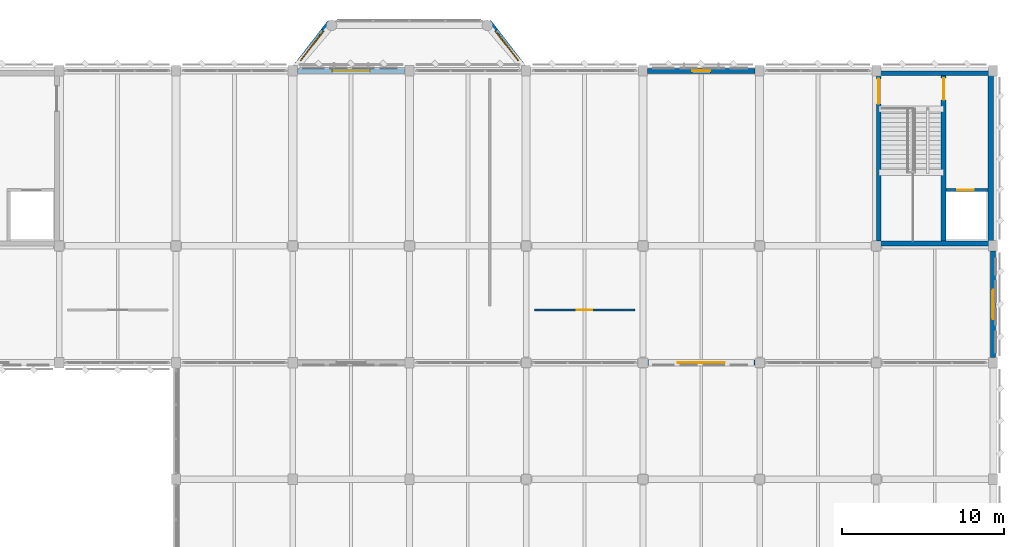
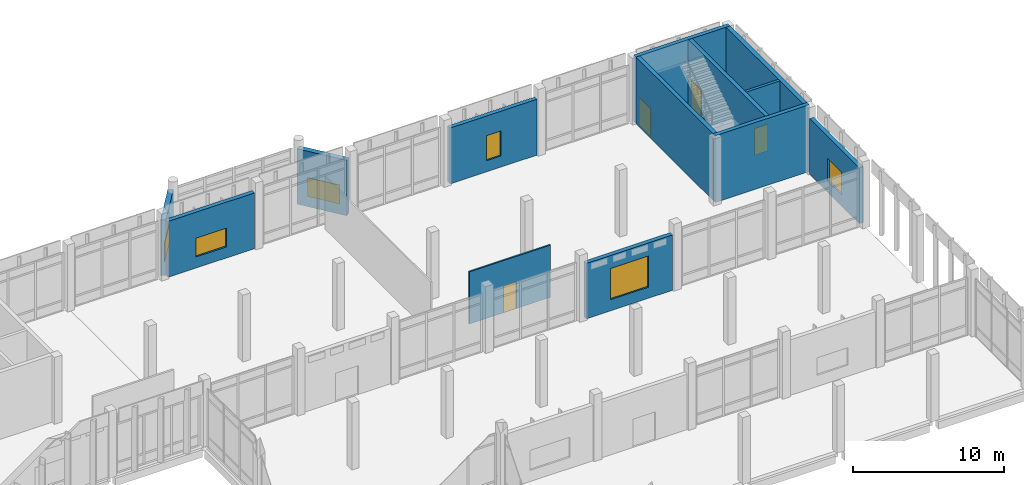
# One storey, part 162 of 180: 13 walls, 6 windows, 4 doors, 10 openings.
"""IFC4 building model written with IfcOpenShell, lengths in metres."""

from ifc_helpers import new_model, si_unit, direction, frame, frame_2d, origin, place, context, subcontext, project, spatial, rectangle, extrude, material, layer, layer_set, type_object, element, fill, save


model = new_model("IFC4")

# Units and contexts
model_context = context("Model", 3, precision=1e-05, world=origin(), true_north=direction((0.0, 1.0)))
body_context = subcontext(model_context, "Body", "Model", "MODEL_VIEW")
ifc_project = project(units=[si_unit("LENGTHUNIT", "METRE"), si_unit("AREAUNIT", "SQUARE_METRE"), si_unit("VOLUMEUNIT", "CUBIC_METRE"), si_unit("PLANEANGLEUNIT", "RADIAN"), si_unit("MASSUNIT", "GRAM", prefix="KILO")], contexts=[model_context])

# Site, building, storey
site_placement = place(None, origin())
site = spatial("IfcSite", under=ifc_project, at=site_placement, CompositionType="ELEMENT")
building_placement = place(site_placement, origin())
building = spatial("IfcBuilding", under=site, at=building_placement, Name="Lusvemor Sports Hall", CompositionType="ELEMENT")
storey_placement = place(building_placement, frame((0.0, 0.0, 5.39990234375)))
storey = spatial("IfcBuildingStorey", under=building, at=storey_placement, Name="L01", CompositionType="ELEMENT", Elevation=5.39990234375)

# Wall, opening, window
ifc_material_1 = material(Name="Emerald polychrome glazed ceramic cladding on Concrete C40/50 backing", Category="concrete")
ifc_layer_1 = layer(ifc_material_1, 0.364990234375)
ifc_layer_set_1 = layer_set([ifc_layer_1], Name="Emerald polychrome glazed ceramic cladding on Concrete C40/50 backing")
wall_type_1 = type_object("IfcWallType", Name="EW_WAVE_CER_365", PredefinedType="STANDARD", material=ifc_layer_set_1)
wall_1_placement = place(storey_placement, frame((126.14697265625, 115.389892578125, 0.0), z_axis=(0.0, 0.0, 1.0), x_axis=(0.612163511331, 0.790731202998, 0.0)))
wall_1 = element("IfcWall", 1, at=wall_1_placement, inside=storey, type_object=wall_type_1, Name="Art Nouveau Bow Wall EW-BOW-N3-L01-1", PredefinedType="STANDARD", context=body_context, shape_type="SweptSolid", body=[
    extrude(rectangle(XDim=3.560302734375, YDim=0.364990234375, at=frame_2d((1.7802734375, 0.0))), origin(), (0.0, 0.0, 1.0), 4.47998046875),
])
opening_1_placement = place(wall_1_placement, frame((0.56005859375, 0.0, 0.699951171875)))
opening_1 = element("IfcOpeningElement", 2, at=opening_1_placement, cuts=wall_1, Name="Opening WN21", PredefinedType="OPENING", context=body_context, shape_type="SweptSolid", body=[
    extrude(rectangle(XDim=2.320068359375, YDim=1.52001953125, at=frame_2d((1.16015625, 0.760009765625))), frame((0.0, 0.1826171875, 0.0), z_axis=(0.0, -1.0, 0.0), x_axis=(1.0, 0.0, 0.0)), (0.0, 0.0, 1.0), 0.364990234375),
])
ifc_material_2 = material(Name="Solar-control laminated double glazing", Category="glass")
window_type_1 = type_object("IfcWindowType", Name="WIN_21", PartitioningType="SINGLE_PANEL", PredefinedType="WINDOW", material=ifc_material_2)
window_1_placement = place(opening_1_placement, origin())
window_1 = element("IfcWindow", 3, at=window_1_placement, inside=storey, type_object=window_type_1, Name="Art Nouveau Bow Window BOW-N3 L01-1", OverallHeight=1.52001953125, OverallWidth=2.320068359375, PartitioningType="SINGLE_PANEL", PredefinedType="WINDOW", context=body_context, shape_type="SweptSolid", body=[
    extrude(rectangle(XDim=2.320068359375, YDim=1.52001953125, at=frame_2d((1.16015625, 0.760009765625))), frame((0.0, 0.030029296875, 0.0), z_axis=(0.0, -1.0, 0.0), x_axis=(1.0, 0.0, 0.0)), (0.0, 0.0, 1.0), 0.06005859375),
])
fill(opening_1, window_1)

wall_2_placement = place(storey_placement, frame((138.073486328125, 118.205078125, 0.0), z_axis=(0.0, 0.0, 1.0), x_axis=(0.612206385164, -0.790698009334, 0.0)))
wall_2 = element("IfcWall", 4, at=wall_2_placement, inside=storey, type_object=wall_type_1, Name="Art Nouveau Bow Wall EW-BOW-N3-L01-3", PredefinedType="STANDARD", context=body_context, shape_type="SweptSolid", body=[
    extrude(rectangle(XDim=3.560302734375, YDim=0.364990234375, at=frame_2d((1.7802734375, 0.0))), origin(), (0.0, 0.0, 1.0), 4.47998046875),
])
opening_2_placement = place(wall_2_placement, frame((0.679931640625, 0.0, 0.699951171875)))
opening_2 = element("IfcOpeningElement", 5, at=opening_2_placement, cuts=wall_2, Name="Opening WN21", PredefinedType="OPENING", context=body_context, shape_type="SweptSolid", body=[
    extrude(rectangle(XDim=2.320068359375, YDim=1.52001953125, at=frame_2d((1.16015625, 0.760009765625))), frame((0.0, 0.1826171875, 0.0), z_axis=(0.0, -1.0, 0.0), x_axis=(1.0, 0.0, 0.0)), (0.0, 0.0, 1.0), 0.364990234375),
])
window_2_placement = place(opening_2_placement, origin())
window_2 = element("IfcWindow", 6, at=window_2_placement, inside=storey, type_object=window_type_1, Name="Art Nouveau Bow Window BOW-N3 L01-3", OverallHeight=1.52001953125, OverallWidth=2.320068359375, PartitioningType="SINGLE_PANEL", PredefinedType="WINDOW", context=body_context, shape_type="SweptSolid", body=[
    extrude(rectangle(XDim=2.320068359375, YDim=1.52001953125, at=frame_2d((1.16015625, 0.760009765625))), frame((0.0, 0.030029296875, 0.0), z_axis=(0.0, -1.0, 0.0), x_axis=(1.0, 0.0, 0.0)), (0.0, 0.0, 1.0), 0.06005859375),
])
fill(opening_2, window_2)

ifc_material_3 = material(Name="Warm terracotta Art Nouveau ceramic cladding on Concrete C40/50 backing", Category="masonry")
ifc_layer_2 = layer(ifc_material_3, 0.31494140625)
ifc_layer_set_2 = layer_set([ifc_layer_2], Name="Warm terracotta Art Nouveau ceramic cladding on Concrete C40/50 backing")
wall_type_2 = type_object("IfcWallType", Name="EW_WING_CAV_315", PredefinedType="STANDARD", material=ifc_layer_set_2)
wall_3_placement = place(storey_placement, frame((126.303955078125, 115.199951171875, 0.0), z_axis=(0.0, 0.0, 1.0), x_axis=(1.0, 0.0, 0.0)))
wall_3 = element("IfcWall", 7, at=wall_3_placement, inside=storey, type_object=wall_type_2, Name="Exterior Wall EW-L01-N-1-13", PredefinedType="STANDARD", context=body_context, shape_type="SweptSolid", body=[
    extrude(rectangle(XDim=6.6201171875, YDim=0.31494140625, at=frame_2d((3.31005859375, 0.0))), origin(), (0.0, 0.0, 1.0), 4.51513671875),
])
opening_3_placement = place(wall_3_placement, frame((2.135986328125, 0.0, 0.89990234375)))
opening_3 = element("IfcOpeningElement", 8, at=opening_3_placement, cuts=wall_3, Name="Opening WN21", PredefinedType="OPENING", context=body_context, shape_type="SweptSolid", body=[
    extrude(rectangle(XDim=2.320068359375, YDim=1.52001953125, at=frame_2d((1.16015625, 0.760009765625))), frame((0.0, 0.157470703125, 0.0), z_axis=(0.0, -1.0, 0.0), x_axis=(1.0, 0.0, 0.0)), (0.0, 0.0, 1.0), 0.31494140625),
])
window_3_placement = place(opening_3_placement, origin())
window_3 = element("IfcWindow", 9, at=window_3_placement, inside=storey, type_object=window_type_1, Name="Wing Window L01-N-1-13", OverallHeight=1.52001953125, OverallWidth=2.320068359375, PartitioningType="SINGLE_PANEL", PredefinedType="WINDOW", context=body_context, shape_type="SweptSolid", body=[
    extrude(rectangle(XDim=2.320068359375, YDim=1.52001953125, at=frame_2d((1.16015625, 0.760009765625))), frame((0.0, 0.030029296875, 0.0), z_axis=(0.0, -1.0, 0.0), x_axis=(1.0, 0.0, 0.0)), (0.0, 0.0, 1.0), 0.06005859375),
])
fill(opening_3, window_3)

wall_4_placement = place(storey_placement, frame((147.8759765625, 115.199951171875, 0.0), z_axis=(0.0, 0.0, 1.0), x_axis=(1.0, 0.0, 0.0)))
wall_4 = element("IfcWall", 10, at=wall_4_placement, inside=storey, type_object=wall_type_2, Name="Exterior Wall EW-L01-N-1-16", PredefinedType="STANDARD", context=body_context, shape_type="SweptSolid", body=[
    extrude(rectangle(XDim=6.64794921875, YDim=0.31494140625, at=frame_2d((3.323974609375, 0.0))), origin(), (0.0, 0.0, 1.0), 4.51513671875),
])
opening_4_placement = place(wall_4_placement, frame((2.763916015625, 0.0, 0.89990234375)))
opening_4 = element("IfcOpeningElement", 11, at=opening_4_placement, cuts=wall_4, Name="Opening WN24", PredefinedType="OPENING", context=body_context, shape_type="SweptSolid", body=[
    extrude(rectangle(XDim=1.1201171875, YDim=2.02001953125, at=frame_2d((0.56005859375, 1.010009765625))), frame((0.0, 0.157470703125, 0.0), z_axis=(0.0, -1.0, 0.0), x_axis=(1.0, 0.0, 0.0)), (0.0, 0.0, 1.0), 0.31494140625),
])
ifc_material_4 = material(Name="Solar-control laminated double glazing", Category="glass")
window_type_2 = type_object("IfcWindowType", Name="WIN_24", PartitioningType="SINGLE_PANEL", PredefinedType="WINDOW", material=ifc_material_4)
window_4_placement = place(opening_4_placement, origin())
window_4 = element("IfcWindow", 12, at=window_4_placement, inside=storey, type_object=window_type_2, Name="Wing Window L01-N-1-16", OverallHeight=2.02001953125, OverallWidth=1.1201171875, PartitioningType="SINGLE_PANEL", PredefinedType="WINDOW", context=body_context, shape_type="SweptSolid", body=[
    extrude(rectangle(XDim=1.1201171875, YDim=2.02001953125, at=frame_2d((0.56005859375, 1.010009765625))), frame((0.0, 0.030029296875, 0.0), z_axis=(0.0, -1.0, 0.0), x_axis=(1.0, 0.0, 0.0)), (0.0, 0.0, 1.0), 0.06005859375),
])
fill(opening_4, window_4)

wall_5_placement = place(storey_placement, frame((169.199951171875, 104.083984375, 0.0), z_axis=(0.0, 0.0, 1.0), x_axis=(0.0, -1.0, 0.0)))
wall_5 = element("IfcWall", 13, at=wall_5_placement, inside=storey, type_object=wall_type_2, Name="Exterior Wall EW-L01-E-2-0", PredefinedType="STANDARD", context=body_context, shape_type="SweptSolid", body=[
    extrude(rectangle(XDim=6.56787109375, YDim=0.31494140625, at=frame_2d((3.283935546875, 0.0))), origin(), (0.0, 0.0, 1.0), 4.51513671875),
])
opening_5_placement = place(wall_5_placement, frame((2.3740234375, 0.0, 0.89990234375)))
opening_5 = element("IfcOpeningElement", 14, at=opening_5_placement, cuts=wall_5, Name="Opening WN10", PredefinedType="OPENING", context=body_context, shape_type="SweptSolid", body=[
    extrude(rectangle(XDim=1.820068359375, YDim=1.840087890625, at=frame_2d((0.91015625, 0.919921875))), frame((0.0, 0.157470703125, 0.0), z_axis=(0.0, -1.0, 0.0), x_axis=(1.0, 0.0, 0.0)), (0.0, 0.0, 1.0), 0.31494140625),
])
ifc_material_5 = material(Name="Solar-control laminated double glazing", Category="glass")
window_type_3 = type_object("IfcWindowType", Name="WIN_10", PartitioningType="SINGLE_PANEL", PredefinedType="WINDOW", material=ifc_material_5)
window_5_placement = place(opening_5_placement, origin())
window_5 = element("IfcWindow", 15, at=window_5_placement, inside=storey, type_object=window_type_3, Name="Wing Window L01-E-2-0", OverallHeight=1.840087890625, OverallWidth=1.820068359375, PartitioningType="SINGLE_PANEL", PredefinedType="WINDOW", context=body_context, shape_type="SweptSolid", body=[
    extrude(rectangle(XDim=1.820068359375, YDim=1.840087890625, at=frame_2d((0.91015625, 0.919921875))), frame((0.0, 0.030029296875, 0.0), z_axis=(0.0, -1.0, 0.0), x_axis=(1.0, 0.0, 0.0)), (0.0, 0.0, 1.0), 0.06005859375),
])
fill(opening_5, window_5)

wall_6_placement = place(storey_placement, frame((154.50390625, 97.199951171875, 0.0), z_axis=(0.0, 0.0, 1.0), x_axis=(-1.0, 0.0, 0.0)))
wall_6 = element("IfcWall", 16, at=wall_6_placement, inside=storey, type_object=wall_type_2, Name="Exterior Wall EW-L01-S-3-14", PredefinedType="STANDARD", context=body_context, shape_type="SweptSolid", body=[
    extrude(rectangle(XDim=6.60791015625, YDim=0.31494140625, at=frame_2d((3.303955078125, 0.0))), origin(), (0.0, 0.0, 1.0), 4.47509765625),
])
opening_6_placement = place(wall_6_placement, frame((1.843994140625, 0.0, 0.89990234375)))
opening_6 = element("IfcOpeningElement", 17, at=opening_6_placement, cuts=wall_6, Name="Opening WN26", PredefinedType="OPENING", context=body_context, shape_type="SweptSolid", body=[
    extrude(rectangle(XDim=2.919921875, YDim=2.52001953125, at=frame_2d((1.4599609375, 1.260009765625))), frame((0.0, 0.157470703125, 0.0), z_axis=(0.0, -1.0, 0.0), x_axis=(1.0, 0.0, 0.0)), (0.0, 0.0, 1.0), 0.31494140625),
])
ifc_material_6 = material(Name="Solar-control laminated double glazing", Category="glass")
window_type_4 = type_object("IfcWindowType", Name="WIN_26", PartitioningType="SINGLE_PANEL", PredefinedType="WINDOW", material=ifc_material_6)
window_6_placement = place(opening_6_placement, origin())
window_6 = element("IfcWindow", 18, at=window_6_placement, inside=storey, type_object=window_type_4, Name="Wing Window L01-S-3-14", OverallHeight=2.52001953125, OverallWidth=2.919921875, PartitioningType="SINGLE_PANEL", PredefinedType="WINDOW", context=body_context, shape_type="SweptSolid", body=[
    extrude(rectangle(XDim=2.919921875, YDim=2.52001953125, at=frame_2d((1.4599609375, 1.260009765625))), frame((0.0, 0.030029296875, 0.0), z_axis=(0.0, -1.0, 0.0), x_axis=(1.0, 0.0, 0.0)), (0.0, 0.0, 1.0), 0.06005859375),
])
fill(opening_6, window_6)

# Wall, opening, door
ifc_material_7 = material(Name="Double-leaf acoustic gypsum board on metal studs")
ifc_layer_3 = layer(ifc_material_7, 0.1201171875)
ifc_layer_set_3 = layer_set([ifc_layer_3], Name="Double-leaf acoustic gypsum board on metal studs")
wall_type_3 = type_object("IfcWallType", Name="IW_PART_124", PredefinedType="STANDARD", material=ifc_layer_set_3)
wall_7_placement = place(storey_placement, frame((140.89990234375, 100.449951171875, 0.0), z_axis=(0.0, 0.0, 1.0), x_axis=(1.0, 0.0, 0.0)))
wall_7 = element("IfcWall", 19, at=wall_7_placement, inside=storey, type_object=wall_type_3, Name="Partition IW-L01-CNN-COACH1", PredefinedType="STANDARD", context=body_context, shape_type="SweptSolid", body=[
    extrude(rectangle(XDim=6.2001953125, YDim=0.1201171875, at=frame_2d((3.10009765625, 0.0))), origin(), (0.0, 0.0, 1.0), 4.22021484375),
])
opening_7_placement = place(wall_7_placement, frame((2.610107421875, 0.0, 0.0)))
opening_7 = element("IfcOpeningElement", 20, at=opening_7_placement, cuts=wall_7, Name="Opening ID18", PredefinedType="OPENING", context=body_context, shape_type="SweptSolid", body=[
    extrude(rectangle(XDim=0.97998046875, YDim=2.159912109375, at=frame_2d((0.489990234375, 1.080078125))), frame((0.0, 0.06005859375, 0.0), z_axis=(0.0, -1.0, 0.0), x_axis=(1.0, 0.0, 0.0)), (0.0, 0.0, 1.0), 0.1201171875),
])
ifc_material_8 = material(Name="Acoustic solid-core hardwood door leaf in steel frame", Category="steel")
door_type_1 = type_object("IfcDoorType", Name="IDR_COACH_098", OperationType="NOTDEFINED", PredefinedType="DOOR", material=ifc_material_8)
door_1_placement = place(opening_7_placement, origin())
door_1 = element("IfcDoor", 21, at=door_1_placement, inside=storey, type_object=door_type_1, Name="DR-184", OperationType="SINGLE_SWING_RIGHT", OverallHeight=2.159912109375, OverallWidth=0.97998046875, PredefinedType="DOOR", context=body_context, shape_type="SweptSolid", body=[
    extrude(rectangle(XDim=0.97998046875, YDim=2.159912109375, at=frame_2d((0.489990234375, 1.080078125))), frame((0.0, 0.02490234375, 0.0), z_axis=(0.0, -1.0, 0.0), x_axis=(1.0, 0.0, 0.0)), (0.0, 0.0, 1.0), 0.050048828125),
])
fill(opening_7, door_1)

ifc_material_9 = material(Name="Concrete C40/50", Category="concrete")
ifc_layer_4 = layer(ifc_material_9, 0.2099609375)
ifc_layer_set_4 = layer_set([ifc_layer_4], Name="Concrete C40/50")
wall_type_4 = type_object("IfcWallType", Name="IW_SHFT_212", PredefinedType="STANDARD", material=ifc_layer_set_4)
wall_8_placement = place(storey_placement, frame((166.300048828125, 107.85009765625, 0.0), z_axis=(0.0, 0.0, 1.0), x_axis=(1.0, 0.0, 0.0)))
wall_8 = element("IfcWall", 22, at=wall_8_placement, inside=storey, type_object=wall_type_4, Name="Lift LP-03 Shaft Front Wall (L01)", PredefinedType="STANDARD", context=body_context, shape_type="SweptSolid", body=[
    extrude(rectangle(XDim=2.599853515625, YDim=0.2099609375, at=frame_2d((1.2998046875, 0.0))), origin(), (0.0, 0.0, 1.0), 5.400146484375),
])
opening_8_placement = place(wall_8_placement, frame((0.679931640625, 0.0, 0.0)))
opening_8 = element("IfcOpeningElement", 23, at=opening_8_placement, cuts=wall_8, Name="Opening LD-02", PredefinedType="OPENING", context=body_context, shape_type="SweptSolid", body=[
    extrude(rectangle(XDim=1.0400390625, YDim=2.159912109375, at=frame_2d((0.52001953125, 1.080078125))), frame((0.0, 0.10498046875, 0.0), z_axis=(0.0, -1.0, 0.0), x_axis=(1.0, 0.0, 0.0)), (0.0, 0.0, 1.0), 0.2099609375),
])
ifc_material_10 = material(Name="Brushed stainless-steel sliding lift landing door", Category="steel")
door_type_2 = type_object("IfcDoorType", Name="LIFT_DOOR_PAX_104", OperationType="NOTDEFINED", PredefinedType="DOOR", material=ifc_material_10)
door_2_placement = place(opening_8_placement, origin())
door_2 = element("IfcDoor", 24, at=door_2_placement, inside=storey, type_object=door_type_2, Name="DR-099", OperationType="SLIDING_TO_LEFT", OverallHeight=2.159912109375, OverallWidth=1.0400390625, PredefinedType="DOOR", context=body_context, shape_type="SweptSolid", body=[
    extrude(rectangle(XDim=1.0400390625, YDim=2.159912109375, at=frame_2d((0.52001953125, 1.080078125))), frame((0.0, 0.02490234375, 0.0), z_axis=(0.0, -1.0, 0.0), x_axis=(1.0, 0.0, 0.0)), (0.0, 0.0, 1.0), 0.050048828125),
])
fill(opening_8, door_2)

# Walls
ifc_material_11 = material(Name="Concrete C40/50", Category="concrete")
ifc_layer_5 = layer(ifc_material_11, 0.300048828125)
ifc_layer_set_5 = layer_set([ifc_layer_5], Name="Concrete C40/50")
wall_type_5 = type_object("IfcWallType", Name="WALL_CORE_300_INT", PredefinedType="SHEAR", material=ifc_layer_set_5)
for number, where, z_axis, x_axis, name in (
    (25, (169.199951171875, 104.550048828125, 0.0), (0.0, 0.0, 1.0), (-1.0, 0.0, 0.0), "Core C5 Northeast Shear Wall S (L01)"),
    (26, (162.0, 115.050048828125, 0.0), (0.0, 0.0, 1.0), (1.0, 0.0, 0.0), "Core C5 Northeast Shear Wall N (L01)"),
):
    element("IfcWall", number, at=place(storey_placement, frame(where, z_axis=z_axis, x_axis=x_axis)), inside=storey, type_object=wall_type_5, Name=name, PredefinedType="SHEAR", context=body_context, shape_type="SweptSolid", body=[
        extrude(rectangle(XDim=7.199951171875, YDim=0.300048828125, at=frame_2d((3.60009765625, 0.0))), origin(), (0.0, 0.0, 1.0), 5.400146484375),
    ])

# Wall, opening, door
wall_9_placement = place(storey_placement, frame((162.14990234375, 104.699951171875, 0.0), z_axis=(0.0, 0.0, 1.0), x_axis=(0.0, 1.0, 0.0)))
wall_9 = element("IfcWall", 27, at=wall_9_placement, inside=storey, type_object=wall_type_5, Name="Core C5 Northeast Shear Wall W (L01)", PredefinedType="SHEAR", context=body_context, shape_type="SweptSolid", body=[
    extrude(rectangle(XDim=10.199951171875, YDim=0.300048828125, at=frame_2d((5.10009765625, 0.0))), origin(), (0.0, 0.0, 1.0), 5.400146484375),
])
opening_9_placement = place(wall_9_placement, frame((8.4599609375, 0.0, 0.0)))
opening_9 = element("IfcOpeningElement", 28, at=opening_9_placement, cuts=wall_9, Name="Opening DR-FD60-01", PredefinedType="OPENING", context=body_context, shape_type="SweptSolid", body=[
    extrude(rectangle(XDim=1.5400390625, YDim=2.219970703125, at=frame_2d((0.77001953125, 1.10986328125))), frame((0.0, 0.14990234375, 0.0), z_axis=(0.0, -1.0, 0.0), x_axis=(1.0, 0.0, 0.0)), (0.0, 0.0, 1.0), 0.300048828125),
])
ifc_material_12 = material(Name="Fire-rated insulated painted steel door assembly", Category="steel")
door_type_3 = type_object("IfcDoorType", Name="IDR_LOBBY_FD60_154", OperationType="NOTDEFINED", PredefinedType="DOOR", material=ifc_material_12)
door_3_placement = place(opening_9_placement, origin())
door_3 = element("IfcDoor", 29, at=door_3_placement, inside=storey, type_object=door_type_3, Name="DR-105", OperationType="SINGLE_SWING_LEFT", OverallHeight=2.219970703125, OverallWidth=1.5400390625, PredefinedType="DOOR", context=body_context, shape_type="SweptSolid", body=[
    extrude(rectangle(XDim=1.5400390625, YDim=2.219970703125, at=frame_2d((0.77001953125, 1.10986328125))), frame((0.0, 0.02490234375, 0.0), z_axis=(0.0, -1.0, 0.0), x_axis=(1.0, 0.0, 0.0)), (0.0, 0.0, 1.0), 0.050048828125),
])
fill(opening_9, door_3)

wall_10_placement = place(storey_placement, frame((166.14990234375, 104.699951171875, 0.0), z_axis=(0.0, 0.0, 1.0), x_axis=(0.0, 1.0, 0.0)))
wall_10 = element("IfcWall", 30, at=wall_10_placement, inside=storey, type_object=wall_type_5, Name="Core C5 Northeast Shear Wall M (L01)", PredefinedType="SHEAR", context=body_context, shape_type="SweptSolid", body=[
    extrude(rectangle(XDim=10.199951171875, YDim=0.300048828125, at=frame_2d((5.10009765625, 0.0))), origin(), (0.0, 0.0, 1.0), 5.400146484375),
])
opening_10_placement = place(wall_10_placement, frame((8.7099609375, 0.0, 0.0)))
opening_10 = element("IfcOpeningElement", 31, at=opening_10_placement, cuts=wall_10, Name="Opening DR-FD90-02", PredefinedType="OPENING", context=body_context, shape_type="SweptSolid", body=[
    extrude(rectangle(XDim=1.340087890625, YDim=2.179931640625, at=frame_2d((0.669921875, 1.08984375))), frame((0.0, 0.14990234375, 0.0), z_axis=(0.0, -1.0, 0.0), x_axis=(1.0, 0.0, 0.0)), (0.0, 0.0, 1.0), 0.300048828125),
])
ifc_material_13 = material(Name="Fire-rated insulated painted steel door assembly", Category="steel")
door_type_4 = type_object("IfcDoorType", Name="IDR_STAIR_FD90_134", OperationType="NOTDEFINED", PredefinedType="DOOR", material=ifc_material_13)
door_4_placement = place(opening_10_placement, origin())
door_4 = element("IfcDoor", 32, at=door_4_placement, inside=storey, type_object=door_type_4, Name="DR-104", OperationType="SINGLE_SWING_RIGHT", OverallHeight=2.179931640625, OverallWidth=1.340087890625, PredefinedType="DOOR", context=body_context, shape_type="SweptSolid", body=[
    extrude(rectangle(XDim=1.340087890625, YDim=2.179931640625, at=frame_2d((0.669921875, 1.08984375))), frame((0.0, 0.02490234375, 0.0), z_axis=(0.0, -1.0, 0.0), x_axis=(1.0, 0.0, 0.0)), (0.0, 0.0, 1.0), 0.050048828125),
])
fill(opening_10, door_4)

# Wall
ifc_material_14 = material(Name="Concrete C40/50", Category="concrete")
ifc_layer_6 = layer(ifc_material_14, 0.324951171875)
ifc_layer_set_6 = layer_set([ifc_layer_6], Name="Concrete C40/50")
wall_type_6 = type_object("IfcWallType", Name="WALL_CORE_325_EXT", PredefinedType="SHEAR", material=ifc_layer_set_6)
wall_11_placement = place(storey_placement, frame((169.050048828125, 114.89990234375, 0.0), z_axis=(0.0, 0.0, 1.0), x_axis=(0.0, -1.0, 0.0)))
element("IfcWall", 33, at=wall_11_placement, inside=storey, type_object=wall_type_6, Name="Core C5 Northeast Shear Wall E (L01)", PredefinedType="SHEAR", context=body_context, shape_type="SweptSolid", body=[
    extrude(rectangle(XDim=10.199951171875, YDim=0.324951171875, at=frame_2d((5.10009765625, 0.0))), origin(), (0.0, 0.0, 1.0), 5.400146484375),
])

save(model, "model.ifc")
